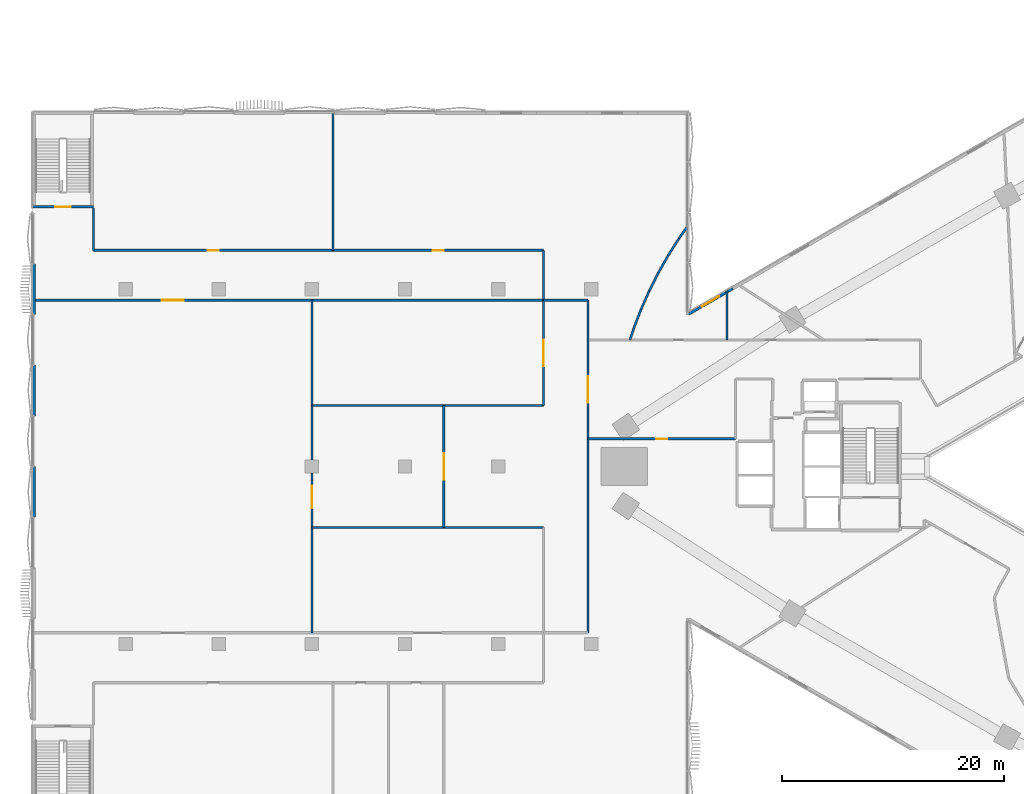
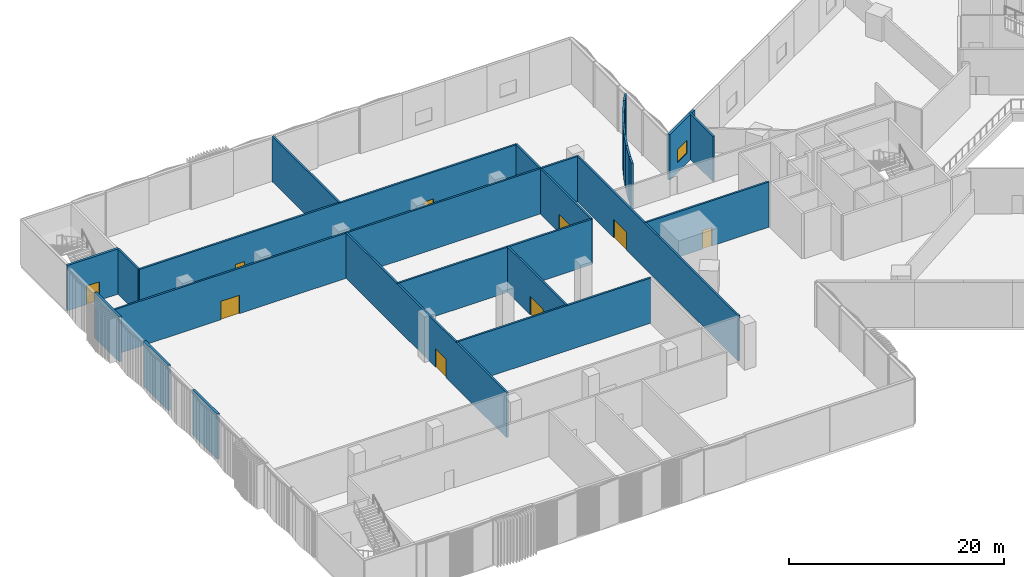
# One storey, part 13 of 31: 26 walls, 9 doors, 1 window, 10 openings.
"""IFC4 building model written with IfcOpenShell, lengths in metres."""

from ifc_helpers import new_model, si_unit, direction, frame, frame_2d, origin, place, context, subcontext, project, spatial, rectangle, extrude, material, layer, layer_set, type_object, element, fill, save


model = new_model("IFC4")

# Units and contexts
model_context = context("Model", 3, precision=1e-05, world=origin(), true_north=direction((0.0, 1.0)))
body_context = subcontext(model_context, "Body", "Model", "MODEL_VIEW")
ifc_project = project(units=[si_unit("LENGTHUNIT", "METRE"), si_unit("AREAUNIT", "SQUARE_METRE"), si_unit("VOLUMEUNIT", "CUBIC_METRE"), si_unit("PLANEANGLEUNIT", "RADIAN"), si_unit("MASSUNIT", "GRAM", prefix="KILO")], contexts=[model_context])

# Site, building, storey
site_placement = place(None, origin())
site = spatial("IfcSite", under=ifc_project, at=site_placement, CompositionType="ELEMENT")
building_placement = place(site_placement, origin())
building = spatial("IfcBuilding", under=site, at=building_placement, Name="Tamra Quay Hotel Tower", CompositionType="ELEMENT")
storey_placement = place(building_placement, frame((0.0, 0.0, 14.0)))
storey = spatial("IfcBuildingStorey", under=building, at=storey_placement, Name="L02", CompositionType="ELEMENT", Elevation=14.0)

# Wall, opening, door
ifc_material_1 = material(Name="Concrete M70", Category="concrete")
ifc_layer_1 = layer(ifc_material_1, 0.199951171875)
ifc_layer_set_1 = layer_set([ifc_layer_1], Name="Concrete M70 core wall 200")
wall_type_1 = type_object("IfcWallType", Name="Concrete M70 core wall 200", PredefinedType="SHEAR", material=ifc_layer_set_1)
wall_1_placement = place(storey_placement, frame((-89.10009765625, 23.425048828125, 0.0), z_axis=(0.0, 0.0, 1.0), x_axis=(1.0, 0.0, 0.0)))
wall_1 = element("IfcWall", 1, at=wall_1_placement, inside=storey, type_object=wall_type_1, Name="CW2", PredefinedType="SHEAR", context=body_context, shape_type="SweptSolid", body=[
    extrude(rectangle(XDim=5.5, YDim=0.25, at=frame_2d((2.75, 0.0))), origin(), (0.0, 0.0, 1.0), 5.14990234375),
])
opening_1_placement = place(wall_1_placement, frame((2.050048828125, 0.0, 0.0)))
opening_1 = element("IfcOpeningElement", 2, at=opening_1_placement, cuts=wall_1, Name="Opening FD2", PredefinedType="OPENING", context=body_context, shape_type="SweptSolid", body=[
    extrude(rectangle(XDim=1.39990234375, YDim=2.10009765625, at=frame_2d((0.699951171875, 1.050048828125))), frame((0.0, 0.135009765625, 0.0), z_axis=(0.0, -1.0, 0.0), x_axis=(1.0, 0.0, 0.0)), (0.0, 0.0, 1.0), 0.27001953125),
])
ifc_material_2 = material(Name="Core door FD2 1400x2100 LH")
door_type_1 = type_object("IfcDoorType", Name="Core door FD2 1400x2100 LH", OperationType="NOTDEFINED", PredefinedType="DOOR", material=ifc_material_2)
door_1_placement = place(opening_1_placement, origin())
door_1 = element("IfcDoor", 3, at=door_1_placement, inside=storey, type_object=door_type_1, Name="FD2", OperationType="SINGLE_SWING_LEFT", OverallHeight=2.10009765625, OverallWidth=1.39990234375, PredefinedType="DOOR", context=body_context, shape_type="SweptSolid", body=[
    extrude(rectangle(XDim=1.39990234375, YDim=2.10009765625, at=frame_2d((0.699951171875, 1.050048828125))), frame((0.0, 0.02490234375, 0.0), z_axis=(0.0, -1.0, 0.0), x_axis=(1.0, 0.0, 0.0)), (0.0, 0.0, 1.0), 0.050048828125),
])
fill(opening_1, door_1)

# Wall, opening, window
ifc_material_3 = material(Name="Blockwork masonry plastered", Category="masonry")
ifc_layer_2 = layer(ifc_material_3, 0.25)
ifc_layer_set_2 = layer_set([ifc_layer_2], Name="EXTERNAL WALL 250")
wall_type_2 = type_object("IfcWallType", Name="EXTERNAL WALL 250", PredefinedType="SOLIDWALL", material=ifc_layer_set_2)
wall_2_placement = place(storey_placement, frame((-29.9375, 13.748046875, 0.0), z_axis=(0.0, 0.0, 1.0), x_axis=(0.866193503994, 0.4997087288, 0.0)))
wall_2 = element("IfcWall", 4, at=wall_2_placement, inside=storey, type_object=wall_type_2, Name="EW1", PredefinedType="SOLIDWALL", context=body_context, shape_type="SweptSolid", body=[
    extrude(rectangle(XDim=4.619873046875, YDim=0.25, at=frame_2d((2.31005859375, 0.0))), origin(), (0.0, 0.0, 1.0), 5.14990234375),
])
opening_2_placement = place(wall_2_placement, frame((1.409912109375, 0.0, 1.10009765625)))
opening_2 = element("IfcOpeningElement", 5, at=opening_2_placement, cuts=wall_2, Name="Opening PW2", PredefinedType="OPENING", context=body_context, shape_type="SweptSolid", body=[
    extrude(rectangle(XDim=1.800048828125, YDim=1.5, at=frame_2d((0.89990234375, 0.75))), frame((0.0, 0.135009765625, 0.0), z_axis=(0.0, -1.0, 0.0), x_axis=(1.0, 0.0, 0.0)), (0.0, 0.0, 1.0), 0.27001953125),
])
ifc_material_4 = material(Name="Aluminium window with clear glass", Category="aluminium")
window_type = type_object("IfcWindowType", Name="PODIUM WINDOW 1800X1500", PartitioningType="DOUBLE_PANEL_VERTICAL", PredefinedType="WINDOW", material=ifc_material_4)
window_placement = place(opening_2_placement, origin())
window = element("IfcWindow", 6, at=window_placement, inside=storey, type_object=window_type, Name="PW2", OverallHeight=1.5, OverallWidth=1.800048828125, PartitioningType="SINGLE_PANEL", PredefinedType="WINDOW", context=body_context, shape_type="SweptSolid", body=[
    extrude(rectangle(XDim=1.800048828125, YDim=1.5, at=frame_2d((0.89990234375, 0.75))), frame((0.0, 0.030029296875, 0.0), z_axis=(0.0, -1.0, 0.0), x_axis=(1.0, 0.0, 0.0)), (0.0, 0.0, 1.0), 0.06005859375),
])
fill(opening_2, window)

# Walls
for number, where, z_axis, x_axis, name in (
    (7, (-88.97509765625, 13.71435546875, 0.0), (0.0, 0.0, 1.0), (0.0, 1.0, 0.0), "EW1"),
    (8, (-88.97509765625, 4.571533203125, 0.0), (0.0, 0.0, 1.0), (0.0, 1.0, 0.0), "EW1"),
):
    element("IfcWall", number, at=place(storey_placement, frame(where, z_axis=z_axis, x_axis=x_axis)), inside=storey, type_object=wall_type_2, Name=name, PredefinedType="SOLIDWALL", context=body_context, shape_type="SweptSolid", body=[
        extrude(rectangle(XDim=4.5712890625, YDim=0.25, at=frame_2d((2.28564453125, 0.0))), origin(), (0.0, 0.0, 1.0), 5.14990234375),
    ])
wall_3_placement = place(storey_placement, frame((-88.97509765625, -4.571533203125, 0.0), z_axis=(0.0, 0.0, 1.0), x_axis=(0.0, 1.0, 0.0)))
element("IfcWall", 9, at=wall_3_placement, inside=storey, type_object=wall_type_2, Name="EW1", PredefinedType="SOLIDWALL", context=body_context, shape_type="SweptSolid", body=[
    extrude(rectangle(XDim=4.571533203125, YDim=0.25, at=frame_2d((2.28564453125, 0.0))), origin(), (0.0, 0.0, 1.0), 5.14990234375),
])

# Wall, opening, door
ifc_material_5 = material(Name="Partition corridor wall")
ifc_layer_3 = layer(ifc_material_5, 0.199951171875)
ifc_layer_set_3 = layer_set([ifc_layer_3], Name="Partition corridor wall")
wall_type_3 = type_object("IfcWallType", Name="Partition corridor wall", PredefinedType="PARTITIONING", material=ifc_layer_set_3)
wall_4_placement = place(storey_placement, frame((-89.094970703125, 15.0, 0.0), z_axis=(0.0, 0.0, 1.0), x_axis=(1.0, 0.0, 0.0)))
wall_4 = element("IfcWall", 10, at=wall_4_placement, inside=storey, type_object=wall_type_3, Name="W-C", PredefinedType="PARTITIONING", context=body_context, shape_type="SweptSolid", body=[
    extrude(rectangle(XDim=46.094970703125, YDim=0.199951171875, at=frame_2d((23.04736328125, 0.0))), origin(), (0.0, 0.0, 1.0), 5.14990234375),
])
opening_3_placement = place(wall_4_placement, frame((11.6494140625, 0.0, 0.0)))
opening_3 = element("IfcOpeningElement", 11, at=opening_3_placement, cuts=wall_4, Name="Opening L02-D002", PredefinedType="OPENING", context=body_context, shape_type="SweptSolid", body=[
    extrude(rectangle(XDim=2.0, YDim=2.10009765625, at=frame_2d((1.0, 1.050048828125))), frame((0.0, 0.10986328125, 0.0), z_axis=(0.0, -1.0, 0.0), x_axis=(1.0, 0.0, 0.0)), (0.0, 0.0, 1.0), 0.219970703125),
])
ifc_material_6 = material(Name="Door double leaf 2000x2100")
door_type_2 = type_object("IfcDoorType", Name="Door double leaf 2000x2100", OperationType="DOUBLE_DOOR_SINGLE_SWING", PredefinedType="DOOR", material=ifc_material_6)
door_2_placement = place(opening_3_placement, frame((2.0, 0.0, 0.0), z_axis=(0.0, 0.0, 1.0), x_axis=(-1.0, 0.0, 0.0)))
door_2 = element("IfcDoor", 12, at=door_2_placement, inside=storey, type_object=door_type_2, Name="L02-D002", OperationType="DOUBLE_DOOR_SINGLE_SWING", OverallHeight=2.10009765625, OverallWidth=2.0, PredefinedType="DOOR", context=body_context, shape_type="SweptSolid", body=[
    extrude(rectangle(XDim=2.0, YDim=2.10009765625, at=frame_2d((1.0, 1.050048828125))), frame((0.0, 0.02490234375, 0.0), z_axis=(0.0, -1.0, 0.0), x_axis=(1.0, 0.0, 0.0)), (0.0, 0.0, 1.0), 0.050048828125),
])
fill(opening_3, door_2)

# Wall
wall_5_placement = place(storey_placement, frame((-83.60009765625, 19.5, 0.0), z_axis=(0.0, 0.0, 1.0), x_axis=(0.0, 1.0, 0.0)))
element("IfcWall", 13, at=wall_5_placement, inside=storey, type_object=wall_type_3, Name="W-C", PredefinedType="PARTITIONING", context=body_context, shape_type="SweptSolid", body=[
    extrude(rectangle(XDim=3.800048828125, YDim=0.199951171875, at=frame_2d((1.89990234375, 0.0))), origin(), (0.0, 0.0, 1.0), 5.14990234375),
])

# Wall, openings, doors
wall_6_placement = place(storey_placement, frame((-83.60009765625, 19.5, 0.0), z_axis=(0.0, 0.0, 1.0), x_axis=(1.0, 0.0, 0.0)))
wall_6 = element("IfcWall", 14, at=wall_6_placement, inside=storey, type_object=wall_type_3, Name="W-C", PredefinedType="PARTITIONING", context=body_context, shape_type="SweptSolid", body=[
    extrude(rectangle(XDim=40.60009765625, YDim=0.199951171875, at=frame_2d((20.300048828125, 0.0))), origin(), (0.0, 0.0, 1.0), 5.14990234375),
])
opening_4_placement = place(wall_6_placement, frame((10.305908203125, 0.0, 0.0)))
opening_4 = element("IfcOpeningElement", 15, at=opening_4_placement, cuts=wall_6, Name="Opening L02-D007", PredefinedType="OPENING", context=body_context, shape_type="SweptSolid", body=[
    extrude(rectangle(XDim=1.0, YDim=2.10009765625, at=frame_2d((0.5, 1.050048828125))), frame((0.0, 0.10986328125, 0.0), z_axis=(0.0, -1.0, 0.0), x_axis=(1.0, 0.0, 0.0)), (0.0, 0.0, 1.0), 0.219970703125),
])
opening_5_placement = place(wall_6_placement, frame((30.594970703125, 0.0, 0.0)))
opening_5 = element("IfcOpeningElement", 16, at=opening_5_placement, cuts=wall_6, Name="Opening L02-D008", PredefinedType="OPENING", context=body_context, shape_type="SweptSolid", body=[
    extrude(rectangle(XDim=1.0, YDim=2.10009765625, at=frame_2d((0.5, 1.050048828125))), frame((0.0, 0.10986328125, 0.0), z_axis=(0.0, -1.0, 0.0), x_axis=(1.0, 0.0, 0.0)), (0.0, 0.0, 1.0), 0.219970703125),
])
ifc_material_7 = material(Name="Door guest room 1000x2100")
door_type_3 = type_object("IfcDoorType", Name="Door guest room 1000x2100", OperationType="NOTDEFINED", PredefinedType="DOOR", material=ifc_material_7)
door_3_placement = place(opening_4_placement, origin())
door_3 = element("IfcDoor", 17, at=door_3_placement, inside=storey, type_object=door_type_3, Name="L02-D007", OperationType="SINGLE_SWING_LEFT", OverallHeight=2.10009765625, OverallWidth=1.0, PredefinedType="DOOR", context=body_context, shape_type="SweptSolid", body=[
    extrude(rectangle(XDim=1.0, YDim=2.10009765625, at=frame_2d((0.5, 1.050048828125))), frame((0.0, 0.02490234375, 0.0), z_axis=(0.0, -1.0, 0.0), x_axis=(1.0, 0.0, 0.0)), (0.0, 0.0, 1.0), 0.050048828125),
])
fill(opening_4, door_3)
door_4_placement = place(opening_5_placement, origin())
door_4 = element("IfcDoor", 18, at=door_4_placement, inside=storey, type_object=door_type_3, Name="L02-D008", OperationType="SINGLE_SWING_LEFT", OverallHeight=2.10009765625, OverallWidth=1.0, PredefinedType="DOOR", context=body_context, shape_type="SweptSolid", body=[
    extrude(rectangle(XDim=1.0, YDim=2.10009765625, at=frame_2d((0.5, 1.050048828125))), frame((0.0, 0.02490234375, 0.0), z_axis=(0.0, -1.0, 0.0), x_axis=(1.0, 0.0, 0.0)), (0.0, 0.0, 1.0), 0.050048828125),
])
fill(opening_5, door_4)

# Wall
wall_7_placement = place(storey_placement, frame((-43.0, 15.001953125, 0.0), z_axis=(0.0, 0.0, 1.0), x_axis=(0.0, 1.0, 0.0)))
element("IfcWall", 19, at=wall_7_placement, inside=storey, type_object=wall_type_3, Name="W-C", PredefinedType="PARTITIONING", context=body_context, shape_type="SweptSolid", body=[
    extrude(rectangle(XDim=4.498046875, YDim=0.199951171875, at=frame_2d((2.2490234375, 0.0))), origin(), (0.0, 0.0, 1.0), 5.14990234375),
])

# Wall, opening, door
ifc_material_8 = material(Name="Partition party wall")
ifc_layer_4 = layer(ifc_material_8, 0.199951171875)
ifc_layer_set_4 = layer_set([ifc_layer_4], Name="Partition party wall")
wall_type_4 = type_object("IfcWallType", Name="Partition party wall", PredefinedType="PARTITIONING", material=ifc_layer_set_4)
wall_8_placement = place(storey_placement, frame((-63.89990234375, -15.0, 0.0), z_axis=(0.0, 0.0, 1.0), x_axis=(0.0, 1.0, 0.0)))
wall_8 = element("IfcWall", 20, at=wall_8_placement, inside=storey, type_object=wall_type_4, Name="W-P", PredefinedType="PARTITIONING", context=body_context, shape_type="SweptSolid", body=[
    extrude(rectangle(XDim=30.0, YDim=0.199951171875, at=frame_2d((15.0, 0.0))), origin(), (0.0, 0.0, 1.0), 5.14990234375),
])
opening_6_placement = place(wall_8_placement, frame((11.25, 0.0, 0.0)))
opening_6 = element("IfcOpeningElement", 21, at=opening_6_placement, cuts=wall_8, Name="Opening L02-D001", PredefinedType="OPENING", context=body_context, shape_type="SweptSolid", body=[
    extrude(rectangle(XDim=2.0, YDim=2.10009765625, at=frame_2d((1.0, 1.050048828125))), frame((0.0, 0.10986328125, 0.0), z_axis=(0.0, -1.0, 0.0), x_axis=(1.0, 0.0, 0.0)), (0.0, 0.0, 1.0), 0.219970703125),
])
door_5_placement = place(opening_6_placement, origin())
door_5 = element("IfcDoor", 22, at=door_5_placement, inside=storey, type_object=door_type_2, Name="L02-D001", OperationType="DOUBLE_DOOR_SINGLE_SWING", OverallHeight=2.10009765625, OverallWidth=2.0, PredefinedType="DOOR", context=body_context, shape_type="SweptSolid", body=[
    extrude(rectangle(XDim=2.0, YDim=2.10009765625, at=frame_2d((1.0, 1.050048828125))), frame((0.0, 0.02490234375, 0.0), z_axis=(0.0, -1.0, 0.0), x_axis=(1.0, 0.0, 0.0)), (0.0, 0.0, 1.0), 0.050048828125),
])
fill(opening_6, door_5)

# Walls
for number, where, z_axis, x_axis, name in (
    (23, (-63.89990234375, -5.5, 0.0), (0.0, 0.0, 1.0), (1.0, 0.0, 0.0), "W-P"),
    (24, (-63.89990234375, 5.5, 0.0), (0.0, 0.0, 1.0), (1.0, 0.0, 0.0), "W-P"),
):
    element("IfcWall", number, at=place(storey_placement, frame(where, z_axis=z_axis, x_axis=x_axis)), inside=storey, type_object=wall_type_4, Name=name, PredefinedType="PARTITIONING", context=body_context, shape_type="SweptSolid", body=[
        extrude(rectangle(XDim=20.89990234375, YDim=0.199951171875, at=frame_2d((10.449951171875, 0.0))), origin(), (0.0, 0.0, 1.0), 5.14990234375),
    ])
wall_9_placement = place(storey_placement, frame((-62.0, 19.501953125, 0.0), z_axis=(0.0, 0.0, 1.0), x_axis=(0.0, 1.0, 0.0)))
element("IfcWall", 25, at=wall_9_placement, inside=storey, type_object=wall_type_4, Name="W-P", PredefinedType="PARTITIONING", context=body_context, shape_type="SweptSolid", body=[
    extrude(rectangle(XDim=12.4931640625, YDim=0.199951171875, at=frame_2d((6.24658203125, 0.0))), origin(), (0.0, 0.0, 1.0), 5.14990234375),
])

# Wall, opening, door
wall_10_placement = place(storey_placement, frame((-52.0, -5.5, 0.0), z_axis=(0.0, 0.0, 1.0), x_axis=(0.0, 1.0, 0.0)))
wall_10 = element("IfcWall", 26, at=wall_10_placement, inside=storey, type_object=wall_type_4, Name="W-P", PredefinedType="PARTITIONING", context=body_context, shape_type="SweptSolid", body=[
    extrude(rectangle(XDim=11.0, YDim=0.199951171875, at=frame_2d((5.5, 0.0))), origin(), (0.0, 0.0, 1.0), 5.14990234375),
])
opening_7_placement = place(wall_10_placement, frame((4.300048828125, 0.0, 0.0)))
opening_7 = element("IfcOpeningElement", 27, at=opening_7_placement, cuts=wall_10, Name="Opening L02-D004", PredefinedType="OPENING", context=body_context, shape_type="SweptSolid", body=[
    extrude(rectangle(XDim=2.39990234375, YDim=2.10009765625, at=frame_2d((1.199951171875, 1.050048828125))), frame((0.0, 0.10986328125, 0.0), z_axis=(0.0, -1.0, 0.0), x_axis=(1.0, 0.0, 0.0)), (0.0, 0.0, 1.0), 0.219970703125),
])
ifc_material_9 = material(Name="Door double leaf 2400x2100")
door_type_4 = type_object("IfcDoorType", Name="Door double leaf 2400x2100", OperationType="DOUBLE_DOOR_SINGLE_SWING", PredefinedType="DOOR", material=ifc_material_9)
door_6_placement = place(opening_7_placement, origin())
door_6 = element("IfcDoor", 28, at=door_6_placement, inside=storey, type_object=door_type_4, Name="L02-D004", OperationType="DOUBLE_DOOR_SINGLE_SWING", OverallHeight=2.10009765625, OverallWidth=2.39990234375, PredefinedType="DOOR", context=body_context, shape_type="SweptSolid", body=[
    extrude(rectangle(XDim=2.39990234375, YDim=2.10009765625, at=frame_2d((1.199951171875, 1.050048828125))), frame((0.0, 0.02490234375, 0.0), z_axis=(0.0, -1.0, 0.0), x_axis=(1.0, 0.0, 0.0)), (0.0, 0.0, 1.0), 0.050048828125),
])
fill(opening_7, door_6)

wall_11_placement = place(storey_placement, frame((-43.0, 5.5, 0.0), z_axis=(0.0, 0.0, 1.0), x_axis=(0.0, 1.0, 0.0)))
wall_11 = element("IfcWall", 29, at=wall_11_placement, inside=storey, type_object=wall_type_4, Name="W-P", PredefinedType="PARTITIONING", context=body_context, shape_type="SweptSolid", body=[
    extrude(rectangle(XDim=9.5, YDim=0.199951171875, at=frame_2d((4.75, 0.0))), origin(), (0.0, 0.0, 1.0), 5.14990234375),
])
opening_8_placement = place(wall_11_placement, frame((3.550048828125, 0.0, 0.0)))
opening_8 = element("IfcOpeningElement", 30, at=opening_8_placement, cuts=wall_11, Name="Opening L02-D005", PredefinedType="OPENING", context=body_context, shape_type="SweptSolid", body=[
    extrude(rectangle(XDim=2.39990234375, YDim=2.10009765625, at=frame_2d((1.199951171875, 1.050048828125))), frame((0.0, 0.10986328125, 0.0), z_axis=(0.0, -1.0, 0.0), x_axis=(1.0, 0.0, 0.0)), (0.0, 0.0, 1.0), 0.219970703125),
])
door_7_placement = place(opening_8_placement, origin())
door_7 = element("IfcDoor", 31, at=door_7_placement, inside=storey, type_object=door_type_4, Name="L02-D005", OperationType="DOUBLE_DOOR_SINGLE_SWING", OverallHeight=2.10009765625, OverallWidth=2.39990234375, PredefinedType="DOOR", context=body_context, shape_type="SweptSolid", body=[
    extrude(rectangle(XDim=2.39990234375, YDim=2.10009765625, at=frame_2d((1.199951171875, 1.050048828125))), frame((0.0, 0.02490234375, 0.0), z_axis=(0.0, -1.0, 0.0), x_axis=(1.0, 0.0, 0.0)), (0.0, 0.0, 1.0), 0.050048828125),
])
fill(opening_8, door_7)

# Wall
wall_12_placement = place(storey_placement, frame((-42.998046875, 15.0, 0.0), z_axis=(0.0, 0.0, 1.0), x_axis=(1.0, 0.0, 0.0)))
element("IfcWall", 32, at=wall_12_placement, inside=storey, type_object=wall_type_4, Name="W-P", PredefinedType="PARTITIONING", context=body_context, shape_type="SweptSolid", body=[
    extrude(rectangle(XDim=3.998046875, YDim=0.199951171875, at=frame_2d((1.9990234375, 0.0))), origin(), (0.0, 0.0, 1.0), 5.14990234375),
])

# Wall, opening, door
wall_13_placement = place(storey_placement, frame((-39.0, -15.0, 0.0), z_axis=(0.0, 0.0, 1.0), x_axis=(0.0, 1.0, 0.0)))
wall_13 = element("IfcWall", 33, at=wall_13_placement, inside=storey, type_object=wall_type_4, Name="W-P", PredefinedType="PARTITIONING", context=body_context, shape_type="SweptSolid", body=[
    extrude(rectangle(XDim=30.0, YDim=0.199951171875, at=frame_2d((15.0, 0.0))), origin(), (0.0, 0.0, 1.0), 5.14990234375),
])
opening_9_placement = place(wall_13_placement, frame((20.75, 0.0, 0.0)))
opening_9 = element("IfcOpeningElement", 34, at=opening_9_placement, cuts=wall_13, Name="Opening L02-D012", PredefinedType="OPENING", context=body_context, shape_type="SweptSolid", body=[
    extrude(rectangle(XDim=2.39990234375, YDim=2.10009765625, at=frame_2d((1.199951171875, 1.050048828125))), frame((0.0, 0.10986328125, 0.0), z_axis=(0.0, -1.0, 0.0), x_axis=(1.0, 0.0, 0.0)), (0.0, 0.0, 1.0), 0.219970703125),
])
door_8_placement = place(opening_9_placement, frame((2.39990234375, 0.0, 0.0), z_axis=(0.0, 0.0, 1.0), x_axis=(-1.0, 0.0, 0.0)))
door_8 = element("IfcDoor", 35, at=door_8_placement, inside=storey, type_object=door_type_4, Name="L02-D012", OperationType="DOUBLE_DOOR_SINGLE_SWING", OverallHeight=2.10009765625, OverallWidth=2.39990234375, PredefinedType="DOOR", context=body_context, shape_type="SweptSolid", body=[
    extrude(rectangle(XDim=2.39990234375, YDim=2.10009765625, at=frame_2d((1.199951171875, 1.050048828125))), frame((0.0, 0.02490234375, 0.0), z_axis=(0.0, -1.0, 0.0), x_axis=(1.0, 0.0, 0.0)), (0.0, 0.0, 1.0), 0.050048828125),
])
fill(opening_9, door_8)

wall_14_placement = place(storey_placement, frame((-38.9951171875, 2.5, 0.0), z_axis=(0.0, 0.0, 1.0), x_axis=(1.0, 0.0, 0.0)))
wall_14 = element("IfcWall", 36, at=wall_14_placement, inside=storey, type_object=wall_type_4, Name="W-P", PredefinedType="PARTITIONING", context=body_context, shape_type="SweptSolid", body=[
    extrude(rectangle(XDim=13.292236328125, YDim=0.199951171875, at=frame_2d((6.64599609375, 0.0))), origin(), (0.0, 0.0, 1.0), 5.14990234375),
])
opening_10_placement = place(wall_14_placement, frame((6.14599609375, 0.0, 0.0)))
opening_10 = element("IfcOpeningElement", 37, at=opening_10_placement, cuts=wall_14, Name="Opening L02-D018", PredefinedType="OPENING", context=body_context, shape_type="SweptSolid", body=[
    extrude(rectangle(XDim=1.0, YDim=2.10009765625, at=frame_2d((0.5, 1.050048828125))), frame((0.0, 0.10986328125, 0.0), z_axis=(0.0, -1.0, 0.0), x_axis=(1.0, 0.0, 0.0)), (0.0, 0.0, 1.0), 0.219970703125),
])
door_9_placement = place(opening_10_placement, frame((1.0, 0.0, 0.0), z_axis=(0.0, 0.0, 1.0), x_axis=(-1.0, 0.0, 0.0)))
door_9 = element("IfcDoor", 38, at=door_9_placement, inside=storey, type_object=door_type_3, Name="L02-D018", OperationType="SINGLE_SWING_LEFT", OverallHeight=2.10009765625, OverallWidth=1.0, PredefinedType="DOOR", context=body_context, shape_type="SweptSolid", body=[
    extrude(rectangle(XDim=1.0, YDim=2.10009765625, at=frame_2d((0.5, 1.050048828125))), frame((0.0, 0.02490234375, 0.0), z_axis=(0.0, -1.0, 0.0), x_axis=(1.0, 0.0, 0.0)), (0.0, 0.0, 1.0), 0.050048828125),
])
fill(opening_10, door_9)

# Walls
wall_15_placement = place(storey_placement, frame((-35.220947265625, 11.404052734375, 0.0), z_axis=(0.0, 0.0, 1.0), x_axis=(0.313566613152, 0.949566205757, 0.0)))
element("IfcWall", 39, at=wall_15_placement, inside=storey, type_object=wall_type_4, Name="W-P", PredefinedType="PARTITIONING", context=body_context, shape_type="SweptSolid", body=[
    extrude(rectangle(XDim=1.12890625, YDim=0.199951171875, at=frame_2d((0.564453125, 0.0))), origin(), (0.0, 0.0, 1.0), 5.14990234375),
])
for number, where, z_axis, x_axis, name in (
    (40, (-34.866943359375, 12.47607421875, 0.0), (0.0, 0.0, 1.0), (0.359806930281, 0.933026780388, 0.0), "W-P"),
    (41, (-34.212890625, 14.172119140625, 0.0), (0.0, 0.0, 1.0), (0.405315890205, 0.914176694708, 0.0), "W-P"),
):
    element("IfcWall", number, at=place(storey_placement, frame(where, z_axis=z_axis, x_axis=x_axis)), inside=storey, type_object=wall_type_4, Name=name, PredefinedType="PARTITIONING", context=body_context, shape_type="SweptSolid", body=[
        extrude(rectangle(XDim=1.81787109375, YDim=0.199951171875, at=frame_2d((0.908935546875, 0.0))), origin(), (0.0, 0.0, 1.0), 5.14990234375),
    ])
wall_16_placement = place(storey_placement, frame((-33.47607421875, 15.833984375, 0.0), z_axis=(0.0, 0.0, 1.0), x_axis=(0.449684007343, 0.893187714615, 0.0)))
element("IfcWall", 42, at=wall_16_placement, inside=storey, type_object=wall_type_4, Name="W-P", PredefinedType="PARTITIONING", context=body_context, shape_type="SweptSolid", body=[
    extrude(rectangle(XDim=1.817138671875, YDim=0.199951171875, at=frame_2d((0.90869140625, 0.0))), origin(), (0.0, 0.0, 1.0), 5.14990234375),
])
wall_17_placement = place(storey_placement, frame((-32.658935546875, 17.45703125, 0.0), z_axis=(0.0, 0.0, 1.0), x_axis=(0.493270284448, 0.86987609835, 0.0)))
element("IfcWall", 43, at=wall_17_placement, inside=storey, type_object=wall_type_4, Name="W-P", PredefinedType="PARTITIONING", context=body_context, shape_type="SweptSolid", body=[
    extrude(rectangle(XDim=1.81640625, YDim=0.199951171875, at=frame_2d((0.908203125, 0.0))), origin(), (0.0, 0.0, 1.0), 5.14990234375),
])
wall_18_placement = place(storey_placement, frame((-31.762939453125, 19.037109375, 0.0), z_axis=(0.0, 0.0, 1.0), x_axis=(0.534735678729, 0.84501938078, 0.0)))
element("IfcWall", 44, at=wall_18_placement, inside=storey, type_object=wall_type_4, Name="W-P", PredefinedType="PARTITIONING", context=body_context, shape_type="SweptSolid", body=[
    extrude(rectangle(XDim=1.817626953125, YDim=0.199951171875, at=frame_2d((0.90869140625, 0.0))), origin(), (0.0, 0.0, 1.0), 5.14990234375),
])
wall_19_placement = place(storey_placement, frame((-30.791015625, 20.572998046875, 0.0), z_axis=(0.0, 0.0, 1.0), x_axis=(0.575897739976, 0.817521738605, 0.0)))
element("IfcWall", 45, at=wall_19_placement, inside=storey, type_object=wall_type_4, Name="W-P", PredefinedType="PARTITIONING", context=body_context, shape_type="SweptSolid", body=[
    extrude(rectangle(XDim=1.1962890625, YDim=0.199951171875, at=frame_2d((0.59814453125, 0.0))), origin(), (0.0, 0.0, 1.0), 5.14990234375),
])
wall_20_placement = place(storey_placement, frame((-26.4560546875, 11.402099609375, 0.0), z_axis=(0.0, 0.0, 1.0), x_axis=(0.0, 1.0, 0.0)))
element("IfcWall", 46, at=wall_20_placement, inside=storey, type_object=wall_type_4, Name="W-P", PredefinedType="PARTITIONING", context=body_context, shape_type="SweptSolid", body=[
    extrude(rectangle(XDim=4.495361328125, YDim=0.199951171875, at=frame_2d((2.24755859375, 0.0))), origin(), (0.0, 0.0, 1.0), 5.14990234375),
])

save(model, "model.ifc")
